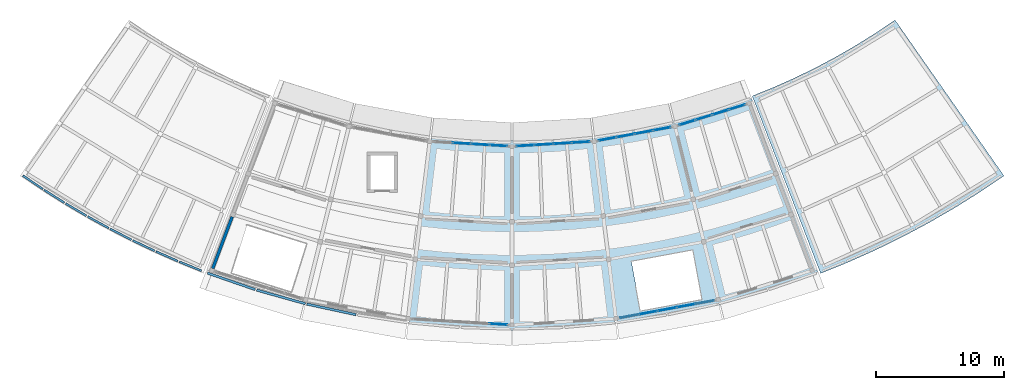
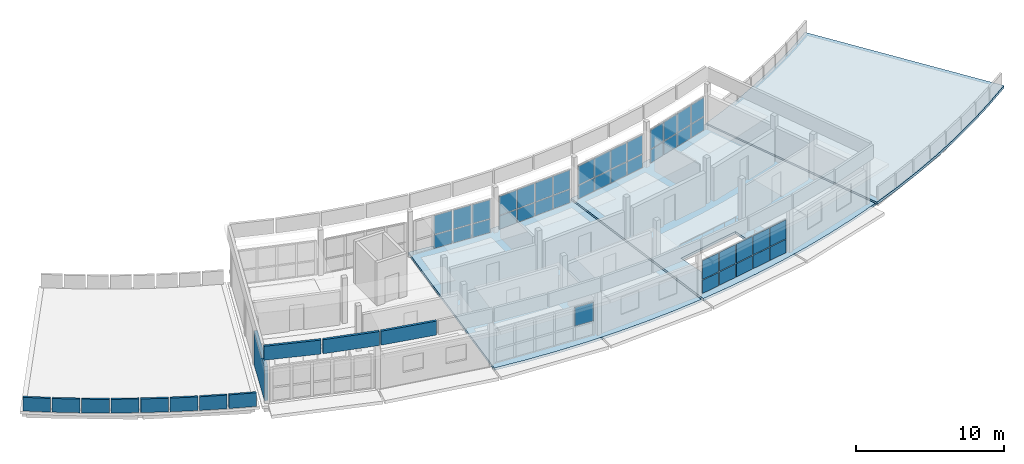
# One storey, part 8 of 12: 41 plates, 12 walls, 3 slabs, 6 elements without a shape of their own.
"""IFC4 building model written with IfcOpenShell, lengths in metres."""

from ifc_helpers import new_model, si_unit, direction, frame, frame_2d, origin, origin_2d, place, context, subcontext, project, spatial, polyline, rectangle, outline, extrude, material, layer, layer_set, type_object, element, aggregate, save


model = new_model("IFC4")

# Units and contexts
model_context = context("Model", 3, precision=1e-05, world=origin(), true_north=direction((0.0, 1.0)))
body_context = subcontext(model_context, "Body", "Model", "MODEL_VIEW")
ifc_project = project(units=[si_unit("LENGTHUNIT", "METRE"), si_unit("AREAUNIT", "SQUARE_METRE"), si_unit("VOLUMEUNIT", "CUBIC_METRE"), si_unit("PLANEANGLEUNIT", "RADIAN"), si_unit("MASSUNIT", "GRAM", prefix="KILO")], contexts=[model_context])

# Site, building, storey
site_placement = place(None, origin())
site = spatial("IfcSite", under=ifc_project, at=site_placement, CompositionType="ELEMENT")
building_placement = place(site_placement, origin())
building = spatial("IfcBuilding", under=site, at=building_placement, Name="Caldaven Crescent School", CompositionType="ELEMENT")
storey_placement = place(building_placement, frame((0.0, 0.0, 19.3798828125)))
storey = spatial("IfcBuildingStorey", under=building, at=storey_placement, Name="L05", CompositionType="ELEMENT", Elevation=19.3798828125)

# Curtain wall, plates
ifc_material_1 = material(Name="Anodised aluminium AA 6063-T6 and low-E double glazing", Category="aluminium")
ifc_layer_1 = layer(ifc_material_1, 0.169921875)
ifc_layer_set_1 = layer_set([ifc_layer_1], Name="Anodised aluminium AA 6063-T6 and low-E double glazing")
curtain_wall_type_1 = type_object("IfcCurtainWallType", Name="CW-SYS1", PredefinedType="NOTDEFINED", material=ifc_layer_set_1)
curtain_wall_1_placement = place(storey_placement, origin())
curtain_wall_1 = element("IfcCurtainWall", 1, at=curtain_wall_1_placement, inside=storey, type_object=curtain_wall_type_1, Name="CW-L05-182", PredefinedType="NOTDEFINED")
ifc_material_2 = material(Name="Tempered low-E double glazing IGU", Category="glass")
ifc_layer_2 = layer(ifc_material_2, 0.053955078125)
ifc_layer_set_2 = layer_set([ifc_layer_2], Name="Tempered low-E double glazing IGU")
plate_type_1 = type_object("IfcPlateType", Name="PLT-CWP15", PredefinedType="CURTAIN_PANEL", material=ifc_layer_set_2)
plate_1_placement = place(storey_placement, frame((84.079833984375, 43.789794921875, 0.065185546875), z_axis=(0.0, 0.0, 1.0), x_axis=(0.998134750717, -0.061049319496, 0.0)))
plate_1 = element("IfcPlate", 2, at=plate_1_placement, type_object=plate_type_1, Name="CW1 panel 2.1", PredefinedType="CURTAIN_PANEL", context=body_context, shape_type="SweptSolid", body=[
    extrude(rectangle(XDim=1.381103515625, YDim=0.053955078125, at=origin_2d()), origin(), (0.0, 0.0, 1.0), 1.08642578125),
])
plate_2_placement = place(storey_placement, frame((84.079833984375, 43.789794921875, 1.216552734375), z_axis=(0.0, 0.0, 1.0), x_axis=(0.998134750717, -0.061049319496, 0.0)))
plate_2 = element("IfcPlate", 3, at=plate_2_placement, type_object=plate_type_1, Name="CW1 panel 2.2", PredefinedType="CURTAIN_PANEL", context=body_context, shape_type="SweptSolid", body=[
    extrude(rectangle(XDim=1.381103515625, YDim=0.053955078125, at=origin_2d()), origin(), (0.0, 0.0, 1.0), 1.53857421875),
])
plate_3_placement = place(storey_placement, frame((85.528076171875, 43.701171875, 0.065185546875), z_axis=(0.0, 0.0, 1.0), x_axis=(0.998134750717, -0.061049319496, 0.0)))
plate_3 = element("IfcPlate", 4, at=plate_3_placement, type_object=plate_type_1, Name="CW1 panel 3.1", PredefinedType="CURTAIN_PANEL", context=body_context, shape_type="SweptSolid", body=[
    extrude(rectangle(XDim=1.381103515625, YDim=0.053955078125, at=origin_2d()), origin(), (0.0, 0.0, 1.0), 1.08642578125),
])
plate_4_placement = place(storey_placement, frame((85.528076171875, 43.701171875, 1.216552734375), z_axis=(0.0, 0.0, 1.0), x_axis=(0.998134750717, -0.061049319496, 0.0)))
plate_4 = element("IfcPlate", 5, at=plate_4_placement, type_object=plate_type_1, Name="CW1 panel 3.2", PredefinedType="CURTAIN_PANEL", context=body_context, shape_type="SweptSolid", body=[
    extrude(rectangle(XDim=1.381103515625, YDim=0.053955078125, at=origin_2d()), origin(), (0.0, 0.0, 1.0), 1.53857421875),
])
plate_5_placement = place(storey_placement, frame((86.958984375, 43.61376953125, 0.065185546875), z_axis=(0.0, 0.0, 1.0), x_axis=(0.998134750717, -0.061049319496, 0.0)))
plate_5 = element("IfcPlate", 6, at=plate_5_placement, type_object=plate_type_1, Name="CW1 panel 4.1", PredefinedType="CURTAIN_PANEL", context=body_context, shape_type="SweptSolid", body=[
    extrude(rectangle(XDim=1.345947265625, YDim=0.053955078125, at=origin_2d()), origin(), (0.0, 0.0, 1.0), 1.08642578125),
])
plate_6_placement = place(storey_placement, frame((86.958984375, 43.61376953125, 1.216552734375), z_axis=(0.0, 0.0, 1.0), x_axis=(0.998134750717, -0.061049319496, 0.0)))
plate_6 = element("IfcPlate", 7, at=plate_6_placement, type_object=plate_type_1, Name="CW1 panel 4.2", PredefinedType="CURTAIN_PANEL", context=body_context, shape_type="SweptSolid", body=[
    extrude(rectangle(XDim=1.345947265625, YDim=0.053955078125, at=origin_2d()), origin(), (0.0, 0.0, 1.0), 1.53857421875),
])
aggregate(curtain_wall_1, [plate_1, plate_2, plate_3, plate_4, plate_5, plate_6])

# Curtain wall, plate
ifc_layer_3 = layer(ifc_material_1, 0.2099609375)
ifc_layer_set_3 = layer_set([ifc_layer_3], Name="Anodised aluminium AA 6063-T6 and low-E double glazing")
curtain_wall_type_2 = type_object("IfcCurtainWallType", Name="CW-SYS3", PredefinedType="NOTDEFINED", material=ifc_layer_set_3)
curtain_wall_2_placement = place(storey_placement, origin())
curtain_wall_2 = element("IfcCurtainWall", 8, at=curtain_wall_2_placement, inside=storey, type_object=curtain_wall_type_2, Name="CW-L05-183", PredefinedType="NOTDEFINED")
ifc_layer_4 = layer(ifc_material_2, 0.055908203125)
ifc_layer_set_4 = layer_set([ifc_layer_4], Name="Tempered low-E double glazing IGU")
plate_type_2 = type_object("IfcPlateType", Name="PLT-CWP16", PredefinedType="CURTAIN_PANEL", material=ifc_layer_set_4)
plate_7_placement = place(storey_placement, frame((86.935546875, 29.715087890625, 1.21923828125), z_axis=(0.0, 0.0, 1.0), x_axis=(0.998134747337, -0.061049374755, 0.0)))
plate_7 = element("IfcPlate", 9, at=plate_7_placement, type_object=plate_type_2, Name="CW3 panel 5.2", PredefinedType="CURTAIN_PANEL", context=body_context, shape_type="SweptSolid", body=[
    extrude(rectangle(XDim=1.40283203125, YDim=0.055908203125, at=origin_2d()), origin(), (0.0, 0.0, 1.0), 1.531005859375),
])
aggregate(curtain_wall_2, [plate_7])

# Curtain wall, plates
ifc_layer_5 = layer(ifc_material_1, 0.18994140625)
ifc_layer_set_5 = layer_set([ifc_layer_5], Name="Anodised aluminium AA 6063-T6 and low-E double glazing")
curtain_wall_type_3 = type_object("IfcCurtainWallType", Name="CW-SYS2", PredefinedType="NOTDEFINED", material=ifc_layer_set_5)
curtain_wall_3_placement = place(storey_placement, origin())
curtain_wall_3 = element("IfcCurtainWall", 10, at=curtain_wall_3_placement, inside=storey, type_object=curtain_wall_type_3, Name="CW-L05-184", PredefinedType="NOTDEFINED")
ifc_layer_6 = layer(ifc_material_2, 0.05810546875)
ifc_layer_set_6 = layer_set([ifc_layer_6], Name="Tempered low-E double glazing IGU")
plate_type_3 = type_object("IfcPlateType", Name="PLT-CWP17", PredefinedType="CURTAIN_PANEL", material=ifc_layer_set_6)
plate_8_placement = place(storey_placement, frame((89.03857421875, 43.613525390625, 0.065185546875), z_axis=(0.0, 0.0, 1.0), x_axis=(0.998134750717, 0.061049319496, 0.0)))
plate_8 = element("IfcPlate", 11, at=plate_8_placement, type_object=plate_type_3, Name="CW2 panel 1.1", PredefinedType="CURTAIN_PANEL", context=body_context, shape_type="SweptSolid", body=[
    extrude(rectangle(XDim=1.361083984375, YDim=0.05810546875, at=origin_2d()), origin(), (0.0, 0.0, 1.0), 1.08642578125),
])
plate_9_placement = place(storey_placement, frame((89.03857421875, 43.613525390625, 1.216552734375), z_axis=(0.0, 0.0, 1.0), x_axis=(0.998134750717, 0.061049319496, 0.0)))
plate_9 = element("IfcPlate", 12, at=plate_9_placement, type_object=plate_type_3, Name="CW2 panel 1.2", PredefinedType="CURTAIN_PANEL", context=body_context, shape_type="SweptSolid", body=[
    extrude(rectangle(XDim=1.361083984375, YDim=0.05810546875, at=origin_2d()), origin(), (0.0, 0.0, 1.0), 1.53857421875),
])
plate_10_placement = place(storey_placement, frame((90.471923828125, 43.701171875, 0.065185546875), z_axis=(0.0, 0.0, 1.0), x_axis=(0.998134750717, 0.061049319496, 0.0)))
plate_10 = element("IfcPlate", 13, at=plate_10_placement, type_object=plate_type_3, Name="CW2 panel 2.1", PredefinedType="CURTAIN_PANEL", context=body_context, shape_type="SweptSolid", body=[
    extrude(rectangle(XDim=1.39111328125, YDim=0.05810546875, at=origin_2d()), origin(), (0.0, 0.0, 1.0), 1.08642578125),
])
plate_11_placement = place(storey_placement, frame((90.471923828125, 43.701171875, 1.216552734375), z_axis=(0.0, 0.0, 1.0), x_axis=(0.998134750717, 0.061049319496, 0.0)))
plate_11 = element("IfcPlate", 14, at=plate_11_placement, type_object=plate_type_3, Name="CW2 panel 2.2", PredefinedType="CURTAIN_PANEL", context=body_context, shape_type="SweptSolid", body=[
    extrude(rectangle(XDim=1.39111328125, YDim=0.05810546875, at=origin_2d()), origin(), (0.0, 0.0, 1.0), 1.53857421875),
])
plate_12_placement = place(storey_placement, frame((91.920166015625, 43.789794921875, 0.065185546875), z_axis=(0.0, 0.0, 1.0), x_axis=(0.998134750717, 0.061049319496, 0.0)))
plate_12 = element("IfcPlate", 15, at=plate_12_placement, type_object=plate_type_3, Name="CW2 panel 3.1", PredefinedType="CURTAIN_PANEL", context=body_context, shape_type="SweptSolid", body=[
    extrude(rectangle(XDim=1.39111328125, YDim=0.05810546875, at=origin_2d()), origin(), (0.0, 0.0, 1.0), 1.08642578125),
])
plate_13_placement = place(storey_placement, frame((91.920166015625, 43.789794921875, 1.216552734375), z_axis=(0.0, 0.0, 1.0), x_axis=(0.998134750717, 0.061049319496, 0.0)))
plate_13 = element("IfcPlate", 16, at=plate_13_placement, type_object=plate_type_3, Name="CW2 panel 3.2", PredefinedType="CURTAIN_PANEL", context=body_context, shape_type="SweptSolid", body=[
    extrude(rectangle(XDim=1.39111328125, YDim=0.05810546875, at=origin_2d()), origin(), (0.0, 0.0, 1.0), 1.53857421875),
])
plate_14_placement = place(storey_placement, frame((93.353515625, 43.87744140625, 0.065185546875), z_axis=(0.0, 0.0, 1.0), x_axis=(0.998134750717, 0.061049319496, 0.0)))
plate_14 = element("IfcPlate", 17, at=plate_14_placement, type_object=plate_type_3, Name="CW2 panel 4.1", PredefinedType="CURTAIN_PANEL", context=body_context, shape_type="SweptSolid", body=[
    extrude(rectangle(XDim=1.361083984375, YDim=0.05810546875, at=origin_2d()), origin(), (0.0, 0.0, 1.0), 1.08642578125),
])
plate_15_placement = place(storey_placement, frame((93.353515625, 43.87744140625, 1.216552734375), z_axis=(0.0, 0.0, 1.0), x_axis=(0.998134750717, 0.061049319496, 0.0)))
plate_15 = element("IfcPlate", 18, at=plate_15_placement, type_object=plate_type_3, Name="CW2 panel 4.2", PredefinedType="CURTAIN_PANEL", context=body_context, shape_type="SweptSolid", body=[
    extrude(rectangle(XDim=1.361083984375, YDim=0.05810546875, at=origin_2d()), origin(), (0.0, 0.0, 1.0), 1.53857421875),
])
aggregate(curtain_wall_3, [plate_8, plate_9, plate_10, plate_11, plate_12, plate_13, plate_14, plate_15])

curtain_wall_4_placement = place(storey_placement, origin())
curtain_wall_4 = element("IfcCurtainWall", 19, at=curtain_wall_4_placement, inside=storey, type_object=curtain_wall_type_2, Name="CW-L05-185", PredefinedType="NOTDEFINED")
ifc_layer_7 = layer(ifc_material_2, 0.06005859375)
ifc_layer_set_7 = layer_set([ifc_layer_7], Name="Tempered low-E double glazing IGU")
plate_type_4 = type_object("IfcPlateType", Name="PLT-CWP18", PredefinedType="CURTAIN_PANEL", material=ifc_layer_set_7)
plate_16_placement = place(storey_placement, frame((95.416259765625, 44.130859375, 0.070068359375), z_axis=(0.0, 0.0, 1.0), x_axis=(0.983254744401, 0.182236405836, 0.0)))
plate_16 = element("IfcPlate", 20, at=plate_16_placement, type_object=plate_type_4, Name="CW3 panel 1.1", PredefinedType="CURTAIN_PANEL", context=body_context, shape_type="SweptSolid", body=[
    extrude(rectangle(XDim=1.353515625, YDim=0.06005859375, at=origin_2d()), origin(), (0.0, 0.0, 1.0), 1.0791015625),
])
plate_17_placement = place(storey_placement, frame((95.416259765625, 44.130859375, 1.21923828125), z_axis=(0.0, 0.0, 1.0), x_axis=(0.983254744401, 0.182236405836, 0.0)))
plate_17 = element("IfcPlate", 21, at=plate_17_placement, type_object=plate_type_4, Name="CW3 panel 1.2", PredefinedType="CURTAIN_PANEL", context=body_context, shape_type="SweptSolid", body=[
    extrude(rectangle(XDim=1.353515625, YDim=0.06005859375, at=origin_2d()), origin(), (0.0, 0.0, 1.0), 1.531005859375),
])
plate_18_placement = place(storey_placement, frame((96.8271484375, 44.392333984375, 0.070068359375), z_axis=(0.0, 0.0, 1.0), x_axis=(0.983254744401, 0.182236405836, 0.0)))
plate_18 = element("IfcPlate", 22, at=plate_18_placement, type_object=plate_type_4, Name="CW3 panel 2.1", PredefinedType="CURTAIN_PANEL", context=body_context, shape_type="SweptSolid", body=[
    extrude(rectangle(XDim=1.385986328125, YDim=0.06005859375, at=origin_2d()), origin(), (0.0, 0.0, 1.0), 1.0791015625),
])
plate_19_placement = place(storey_placement, frame((96.8271484375, 44.392333984375, 1.21923828125), z_axis=(0.0, 0.0, 1.0), x_axis=(0.983254744401, 0.182236405836, 0.0)))
plate_19 = element("IfcPlate", 23, at=plate_19_placement, type_object=plate_type_4, Name="CW3 panel 2.2", PredefinedType="CURTAIN_PANEL", context=body_context, shape_type="SweptSolid", body=[
    extrude(rectangle(XDim=1.385986328125, YDim=0.06005859375, at=origin_2d()), origin(), (0.0, 0.0, 1.0), 1.531005859375),
])
plate_20_placement = place(storey_placement, frame((98.253662109375, 44.65673828125, 0.070068359375), z_axis=(0.0, 0.0, 1.0), x_axis=(0.983254744401, 0.182236405836, 0.0)))
plate_20 = element("IfcPlate", 24, at=plate_20_placement, type_object=plate_type_4, Name="CW3 panel 3.1", PredefinedType="CURTAIN_PANEL", context=body_context, shape_type="SweptSolid", body=[
    extrude(rectangle(XDim=1.385986328125, YDim=0.06005859375, at=origin_2d()), origin(), (0.0, 0.0, 1.0), 1.0791015625),
])
plate_21_placement = place(storey_placement, frame((98.253662109375, 44.65673828125, 1.21923828125), z_axis=(0.0, 0.0, 1.0), x_axis=(0.983254744401, 0.182236405836, 0.0)))
plate_21 = element("IfcPlate", 25, at=plate_21_placement, type_object=plate_type_4, Name="CW3 panel 3.2", PredefinedType="CURTAIN_PANEL", context=body_context, shape_type="SweptSolid", body=[
    extrude(rectangle(XDim=1.385986328125, YDim=0.06005859375, at=origin_2d()), origin(), (0.0, 0.0, 1.0), 1.531005859375),
])
plate_22_placement = place(storey_placement, frame((99.66455078125, 44.918212890625, 0.070068359375), z_axis=(0.0, 0.0, 1.0), x_axis=(0.983254744401, 0.182236405836, 0.0)))
plate_22 = element("IfcPlate", 26, at=plate_22_placement, type_object=plate_type_4, Name="CW3 panel 4.1", PredefinedType="CURTAIN_PANEL", context=body_context, shape_type="SweptSolid", body=[
    extrude(rectangle(XDim=1.353515625, YDim=0.06005859375, at=origin_2d()), origin(), (0.0, 0.0, 1.0), 1.0791015625),
])
plate_23_placement = place(storey_placement, frame((99.66455078125, 44.918212890625, 1.21923828125), z_axis=(0.0, 0.0, 1.0), x_axis=(0.983254744401, 0.182236405836, 0.0)))
plate_23 = element("IfcPlate", 27, at=plate_23_placement, type_object=plate_type_4, Name="CW3 panel 4.2", PredefinedType="CURTAIN_PANEL", context=body_context, shape_type="SweptSolid", body=[
    extrude(rectangle(XDim=1.353515625, YDim=0.06005859375, at=origin_2d()), origin(), (0.0, 0.0, 1.0), 1.531005859375),
])
aggregate(curtain_wall_4, [plate_16, plate_17, plate_18, plate_19, plate_20, plate_21, plate_22, plate_23])

curtain_wall_5_placement = place(storey_placement, origin())
curtain_wall_5 = element("IfcCurtainWall", 28, at=curtain_wall_5_placement, inside=storey, type_object=curtain_wall_type_1, Name="CW-L05-186", PredefinedType="NOTDEFINED")
ifc_material_3 = material(Name="Insulated bronze aluminium spandrel panel", Category="aluminium")
ifc_layer_8 = layer(ifc_material_3, 0.06201171875)
ifc_layer_set_8 = layer_set([ifc_layer_8], Name="Insulated bronze aluminium spandrel panel")
plate_type_5 = type_object("IfcPlateType", Name="PLT-CWP19", PredefinedType="CURTAIN_PANEL", material=ifc_layer_set_8)
plate_24_placement = place(storey_placement, frame((97.13330078125, 30.338623046875, 0.06005859375), z_axis=(0.0, 0.0, 1.0), x_axis=(0.983254756739, 0.182236339268, 0.0)))
plate_24 = element("IfcPlate", 29, at=plate_24_placement, type_object=plate_type_5, Name="CW1 panel 1.1", PredefinedType="CURTAIN_PANEL", context=body_context, shape_type="SweptSolid", body=[
    extrude(rectangle(XDim=1.41015625, YDim=0.06201171875, at=origin_2d()), origin(), (0.0, 0.0, 1.0), 1.093994140625),
])
plate_25_placement = place(storey_placement, frame((97.13330078125, 30.338623046875, 1.214111328125), z_axis=(0.0, 0.0, 1.0), x_axis=(0.983254756739, 0.182236339268, 0.0)))
plate_25 = element("IfcPlate", 30, at=plate_25_placement, type_object=plate_type_5, Name="CW1 panel 1.2", PredefinedType="CURTAIN_PANEL", context=body_context, shape_type="SweptSolid", body=[
    extrude(rectangle(XDim=1.41015625, YDim=0.06201171875, at=origin_2d()), origin(), (0.0, 0.0, 1.0), 1.5458984375),
])
plate_26_placement = place(storey_placement, frame((98.59375, 30.609375, 0.06005859375), z_axis=(0.0, 0.0, 1.0), x_axis=(0.983254756739, 0.182236339268, 0.0)))
plate_26 = element("IfcPlate", 31, at=plate_26_placement, type_object=plate_type_5, Name="CW1 panel 2.1", PredefinedType="CURTAIN_PANEL", context=body_context, shape_type="SweptSolid", body=[
    extrude(rectangle(XDim=1.440185546875, YDim=0.06201171875, at=origin_2d()), origin(), (0.0, 0.0, 1.0), 1.093994140625),
])
plate_27_placement = place(storey_placement, frame((98.59375, 30.609375, 1.214111328125), z_axis=(0.0, 0.0, 1.0), x_axis=(0.983254756739, 0.182236339268, 0.0)))
plate_27 = element("IfcPlate", 32, at=plate_27_placement, type_object=plate_type_5, Name="CW1 panel 2.2", PredefinedType="CURTAIN_PANEL", context=body_context, shape_type="SweptSolid", body=[
    extrude(rectangle(XDim=1.440185546875, YDim=0.06201171875, at=origin_2d()), origin(), (0.0, 0.0, 1.0), 1.5458984375),
])
plate_28_placement = place(storey_placement, frame((100.06884765625, 30.8828125, 0.06005859375), z_axis=(0.0, 0.0, 1.0), x_axis=(0.983254756739, 0.182236339268, 0.0)))
plate_28 = element("IfcPlate", 33, at=plate_28_placement, type_object=plate_type_5, Name="CW1 panel 3.1", PredefinedType="CURTAIN_PANEL", context=body_context, shape_type="SweptSolid", body=[
    extrude(rectangle(XDim=1.440185546875, YDim=0.06201171875, at=origin_2d()), origin(), (0.0, 0.0, 1.0), 1.093994140625),
])
plate_29_placement = place(storey_placement, frame((100.06884765625, 30.8828125, 1.214111328125), z_axis=(0.0, 0.0, 1.0), x_axis=(0.983254756739, 0.182236339268, 0.0)))
plate_29 = element("IfcPlate", 34, at=plate_29_placement, type_object=plate_type_5, Name="CW1 panel 3.2", PredefinedType="CURTAIN_PANEL", context=body_context, shape_type="SweptSolid", body=[
    extrude(rectangle(XDim=1.440185546875, YDim=0.06201171875, at=origin_2d()), origin(), (0.0, 0.0, 1.0), 1.5458984375),
])
plate_30_placement = place(storey_placement, frame((101.5439453125, 31.156005859375, 0.06005859375), z_axis=(0.0, 0.0, 1.0), x_axis=(0.983254756739, 0.182236339268, 0.0)))
plate_30 = element("IfcPlate", 35, at=plate_30_placement, type_object=plate_type_5, Name="CW1 panel 4.1", PredefinedType="CURTAIN_PANEL", context=body_context, shape_type="SweptSolid", body=[
    extrude(rectangle(XDim=1.440185546875, YDim=0.06201171875, at=origin_2d()), origin(), (0.0, 0.0, 1.0), 1.093994140625),
])
plate_31_placement = place(storey_placement, frame((101.5439453125, 31.156005859375, 1.214111328125), z_axis=(0.0, 0.0, 1.0), x_axis=(0.983254756739, 0.182236339268, 0.0)))
plate_31 = element("IfcPlate", 36, at=plate_31_placement, type_object=plate_type_5, Name="CW1 panel 4.2", PredefinedType="CURTAIN_PANEL", context=body_context, shape_type="SweptSolid", body=[
    extrude(rectangle(XDim=1.440185546875, YDim=0.06201171875, at=origin_2d()), origin(), (0.0, 0.0, 1.0), 1.5458984375),
])
plate_32_placement = place(storey_placement, frame((103.004150390625, 31.4267578125, 0.06005859375), z_axis=(0.0, 0.0, 1.0), x_axis=(0.983254756739, 0.182236339268, 0.0)))
plate_32 = element("IfcPlate", 37, at=plate_32_placement, type_object=plate_type_5, Name="CW1 panel 5.1", PredefinedType="CURTAIN_PANEL", context=body_context, shape_type="SweptSolid", body=[
    extrude(rectangle(XDim=1.41015625, YDim=0.06201171875, at=origin_2d()), origin(), (0.0, 0.0, 1.0), 1.093994140625),
])
plate_33_placement = place(storey_placement, frame((103.004150390625, 31.4267578125, 1.214111328125), z_axis=(0.0, 0.0, 1.0), x_axis=(0.983254756739, 0.182236339268, 0.0)))
plate_33 = element("IfcPlate", 38, at=plate_33_placement, type_object=plate_type_5, Name="CW1 panel 5.2", PredefinedType="CURTAIN_PANEL", context=body_context, shape_type="SweptSolid", body=[
    extrude(rectangle(XDim=1.41015625, YDim=0.06201171875, at=origin_2d()), origin(), (0.0, 0.0, 1.0), 1.5458984375),
])
aggregate(curtain_wall_5, [plate_24, plate_25, plate_26, plate_27, plate_28, plate_29, plate_30, plate_31, plate_32, plate_33])

ifc_layer_9 = layer(ifc_material_1, 0.22998046875)
ifc_layer_set_9 = layer_set([ifc_layer_9], Name="Anodised aluminium AA 6063-T6 and low-E double glazing")
curtain_wall_type_4 = type_object("IfcCurtainWallType", Name="CW-SYS4", PredefinedType="NOTDEFINED", material=ifc_layer_set_9)
curtain_wall_6_placement = place(storey_placement, origin())
curtain_wall_6 = element("IfcCurtainWall", 39, at=curtain_wall_6_placement, inside=storey, type_object=curtain_wall_type_4, Name="CW-L05-187", PredefinedType="NOTDEFINED")
ifc_layer_10 = layer(ifc_material_3, 0.06396484375)
ifc_layer_set_10 = layer_set([ifc_layer_10], Name="Insulated bronze aluminium spandrel panel")
plate_type_6 = type_object("IfcPlateType", Name="PLT-CWP20", PredefinedType="CURTAIN_PANEL", material=ifc_layer_set_10)
plate_34_placement = place(storey_placement, frame((101.6416015625, 45.40478515625, 0.070068359375), z_axis=(0.0, 0.0, 1.0), x_axis=(0.954746818344, 0.297419758694, 0.0)))
plate_34 = element("IfcPlate", 40, at=plate_34_placement, type_object=plate_type_6, Name="CW4 panel 1.1", PredefinedType="CURTAIN_PANEL", context=body_context, shape_type="SweptSolid", body=[
    extrude(rectangle(XDim=1.255859375, YDim=0.06396484375, at=origin_2d()), origin(), (0.0, 0.0, 1.0), 1.0791015625),
])
plate_35_placement = place(storey_placement, frame((101.6416015625, 45.40478515625, 1.21923828125), z_axis=(0.0, 0.0, 1.0), x_axis=(0.954746818344, 0.297419758694, 0.0)))
plate_35 = element("IfcPlate", 41, at=plate_35_placement, type_object=plate_type_6, Name="CW4 panel 1.2", PredefinedType="CURTAIN_PANEL", context=body_context, shape_type="SweptSolid", body=[
    extrude(rectangle(XDim=1.255859375, YDim=0.06396484375, at=origin_2d()), origin(), (0.0, 0.0, 1.0), 1.531005859375),
])
plate_36_placement = place(storey_placement, frame((102.924072265625, 45.804443359375, 0.070068359375), z_axis=(0.0, 0.0, 1.0), x_axis=(0.954746818344, 0.297419758694, 0.0)))
plate_36 = element("IfcPlate", 42, at=plate_36_placement, type_object=plate_type_6, Name="CW4 panel 2.1", PredefinedType="CURTAIN_PANEL", context=body_context, shape_type="SweptSolid", body=[
    extrude(rectangle(XDim=1.290771484375, YDim=0.06396484375, at=origin_2d()), origin(), (0.0, 0.0, 1.0), 1.0791015625),
])
plate_37_placement = place(storey_placement, frame((102.924072265625, 45.804443359375, 1.21923828125), z_axis=(0.0, 0.0, 1.0), x_axis=(0.954746818344, 0.297419758694, 0.0)))
plate_37 = element("IfcPlate", 43, at=plate_37_placement, type_object=plate_type_6, Name="CW4 panel 2.2", PredefinedType="CURTAIN_PANEL", context=body_context, shape_type="SweptSolid", body=[
    extrude(rectangle(XDim=1.290771484375, YDim=0.06396484375, at=origin_2d()), origin(), (0.0, 0.0, 1.0), 1.531005859375),
])
plate_38_placement = place(storey_placement, frame((104.223388671875, 46.208984375, 0.070068359375), z_axis=(0.0, 0.0, 1.0), x_axis=(0.954746818344, 0.297419758694, 0.0)))
plate_38 = element("IfcPlate", 44, at=plate_38_placement, type_object=plate_type_6, Name="CW4 panel 3.1", PredefinedType="CURTAIN_PANEL", context=body_context, shape_type="SweptSolid", body=[
    extrude(rectangle(XDim=1.290771484375, YDim=0.06396484375, at=origin_2d()), origin(), (0.0, 0.0, 1.0), 1.0791015625),
])
plate_39_placement = place(storey_placement, frame((104.223388671875, 46.208984375, 1.21923828125), z_axis=(0.0, 0.0, 1.0), x_axis=(0.954746818344, 0.297419758694, 0.0)))
plate_39 = element("IfcPlate", 45, at=plate_39_placement, type_object=plate_type_6, Name="CW4 panel 3.2", PredefinedType="CURTAIN_PANEL", context=body_context, shape_type="SweptSolid", body=[
    extrude(rectangle(XDim=1.290771484375, YDim=0.06396484375, at=origin_2d()), origin(), (0.0, 0.0, 1.0), 1.531005859375),
])
plate_40_placement = place(storey_placement, frame((105.506103515625, 46.608642578125, 0.070068359375), z_axis=(0.0, 0.0, 1.0), x_axis=(0.954746818344, 0.297419758694, 0.0)))
plate_40 = element("IfcPlate", 46, at=plate_40_placement, type_object=plate_type_6, Name="CW4 panel 4.1", PredefinedType="CURTAIN_PANEL", context=body_context, shape_type="SweptSolid", body=[
    extrude(rectangle(XDim=1.255859375, YDim=0.06396484375, at=origin_2d()), origin(), (0.0, 0.0, 1.0), 1.0791015625),
])
plate_41_placement = place(storey_placement, frame((105.506103515625, 46.608642578125, 1.21923828125), z_axis=(0.0, 0.0, 1.0), x_axis=(0.954746818344, 0.297419758694, 0.0)))
plate_41 = element("IfcPlate", 47, at=plate_41_placement, type_object=plate_type_6, Name="CW4 panel 4.2", PredefinedType="CURTAIN_PANEL", context=body_context, shape_type="SweptSolid", body=[
    extrude(rectangle(XDim=1.255859375, YDim=0.06396484375, at=origin_2d()), origin(), (0.0, 0.0, 1.0), 1.531005859375),
])
aggregate(curtain_wall_6, [plate_34, plate_35, plate_36, plate_37, plate_38, plate_39, plate_40, plate_41])

# Slabs
ifc_material_4 = material(Name="Cross-laminated timber CLT C24", Category="wood")
ifc_layer_11 = layer(ifc_material_4, 0.199951171875)
ifc_layer_set_11 = layer_set([ifc_layer_11], Name="Cross-laminated timber CLT C24")
slab_type_1 = type_object("IfcSlabType", Name="SLB-FS3", PredefinedType="FLOOR", material=ifc_layer_set_11)
slab_1_placement = place(storey_placement, frame((0.0, 0.0, -0.199951171875)))
element("IfcSlab", 48, at=slab_1_placement, inside=storey, type_object=slab_type_1, Name="SLB-V5-L05-B07", PredefinedType="FLOOR", context=body_context, shape_type="SweptSolid", body=[
    extrude(outline(polyline([(79.940673828125, 29.68798828125), (82.236328125, 29.44921875), (84.5390625, 29.289794921875), (86.845947265625, 29.2099609375), (89.154052734375, 29.2099609375), (91.4609375, 29.289794921875), (93.763671875, 29.44921875), (96.059326171875, 29.68798828125), (94.273681640625, 44.3798828125), (92.486572265625, 44.19384765625), (90.694091796875, 44.06982421875), (88.8984375, 44.0078125), (87.1015625, 44.0078125), (85.305908203125, 44.06982421875), (83.513427734375, 44.19384765625), (81.726318359375, 44.3798828125), (79.940673828125, 29.68798828125)])), origin(), (0.0, 0.0, 1.0), 0.199951171875),
])
slab_2_placement = place(storey_placement, frame((0.0, 0.0, -0.199951171875)))
element("IfcSlab", 49, at=slab_2_placement, inside=storey, type_object=slab_type_1, Name="SLB-V5-L05-B09", PredefinedType="FLOOR", context=body_context, shape_type="SweptSolid", body=[
    extrude(outline(polyline([(96.222412109375, 29.7080078125), (98.5078125, 30.03173828125), (100.780517578125, 30.43408203125), (103.0380859375, 30.914794921875), (105.27783203125, 31.47314453125), (107.496826171875, 32.108642578125), (109.6923828125, 32.8203125), (111.8623046875, 33.607421875), (106.575439453125, 47.430908203125), (104.886474609375, 46.818115234375), (103.177001953125, 46.26416015625), (101.44970703125, 45.76953125), (99.706298828125, 45.334716796875), (97.948974609375, 44.960693359375), (96.1796875, 44.6474609375), (94.400634765625, 44.3955078125), (96.222412109375, 29.7080078125)]), holes=[polyline([(98.000732421875, 30.7802734375), (97.29736328125, 34.57568359375), (102.03857421875, 35.45458984375), (102.741943359375, 31.6591796875), (98.000732421875, 30.7802734375)])]), origin(), (0.0, 0.0, 1.0), 0.199951171875),
])
ifc_layer_12 = layer(ifc_material_4, 0.2099609375)
ifc_layer_set_12 = layer_set([ifc_layer_12], Name="Cross-laminated timber CLT C24")
slab_type_2 = type_object("IfcSlabType", Name="SLB-RS4", PredefinedType="ROOF", material=ifc_layer_set_12)
slab_3_placement = place(storey_placement, frame((0.0, 0.0, -0.2099609375)))
element("IfcSlab", 50, at=slab_3_placement, inside=storey, type_object=slab_type_2, Name="SLB-RF-L05-E", PredefinedType="ROOF", context=body_context, shape_type="SweptSolid", body=[
    extrude(outline(polyline([(112.015625, 33.666259765625), (114.161376953125, 34.535888671875), (116.275634765625, 35.4794921875), (118.355712890625, 36.49560546875), (120.399658203125, 37.583251953125), (122.404541015625, 38.7412109375), (124.3681640625, 39.9677734375), (126.2880859375, 41.26171875), (117.804931640625, 53.389404296875), (116.310546875, 52.382080078125), (114.781982421875, 51.42724609375), (113.22119140625, 50.52587890625), (111.63037109375, 49.67919921875), (110.010986328125, 48.88818359375), (108.364990234375, 48.15380859375), (106.69482421875, 47.476806640625), (112.015625, 33.666259765625)])), origin(), (0.0, 0.0, 1.0), 0.2099609375),
])

# Walls
ifc_material_5 = material(Name="Precast concrete C35/45", Category="concrete")
ifc_layer_13 = layer(ifc_material_5, 0.239990234375)
ifc_layer_set_13 = layer_set([ifc_layer_13], Name="Precast concrete C35/45")
wall_type_1 = type_object("IfcWallType", Name="WAL-EW05", PredefinedType="STANDARD", material=ifc_layer_set_13)
wall_1_placement = place(storey_placement, frame((66.221435546875, 38.075927734375, 0.0), z_axis=(0.0, 0.0, 1.0), x_axis=(-0.351932384448, -0.936025425283, 0.0)))
element("IfcWall", 51, at=wall_1_placement, inside=storey, type_object=wall_type_1, Name="EW-L05-256", PredefinedType="STANDARD", context=body_context, shape_type="SweptSolid", body=[
    extrude(rectangle(XDim=4.298828125, YDim=0.239990234375, at=frame_2d((2.1494140625, 0.0))), origin(), (0.0, 0.0, 1.0), 2.820068359375),
])
ifc_layer_14 = layer(ifc_material_5, 0.155029296875)
ifc_layer_set_14 = layer_set([ifc_layer_14], Name="Precast concrete C35/45")
wall_type_2 = type_object("IfcWallType", Name="WAL-PRP01", PredefinedType="PARAPET", material=ifc_layer_set_14)
wall_2_placement = place(storey_placement, frame((49.9404296875, 41.274169921875, 0.0), z_axis=(0.0, 0.0, 1.0), x_axis=(0.828919894734, -0.559367328429, 0.0)))
element("IfcWall", 52, at=wall_2_placement, inside=storey, type_object=wall_type_2, Name="PRP-RF-L05-W-O0", PredefinedType="PARAPET", context=body_context, shape_type="SweptSolid", body=[
    extrude(rectangle(XDim=1.86767578125, YDim=0.155029296875, at=frame_2d((0.933837890625, 0.0))), origin(), (0.0, 0.0, 1.0), 1.1201171875),
])
for number, where, z_axis, x_axis, name in (
    (53, (51.5888671875, 40.163818359375, 0.0), (0.0, 0.0, 1.0), (0.845202976692, -0.534445439863, 0.0), "PRP-RF-L05-W-O1"),
    (54, (53.269775390625, 39.103271484375, 0.0), (0.0, 0.0, 1.0), (0.86072866591, -0.50906400745, 0.0), "PRP-RF-L05-W-O2"),
    (55, (54.981201171875, 38.09326171875, 0.0), (0.0, 0.0, 1.0), (0.87551666052, -0.483187931504, 0.0), "PRP-RF-L05-W-O3"),
):
    element("IfcWall", number, at=place(storey_placement, frame(where, z_axis=z_axis, x_axis=x_axis)), inside=storey, type_object=wall_type_2, Name=name, PredefinedType="PARAPET", context=body_context, shape_type="SweptSolid", body=[
        extrude(rectangle(XDim=1.867431640625, YDim=0.155029296875, at=frame_2d((0.93359375, 0.0))), origin(), (0.0, 0.0, 1.0), 1.1201171875),
    ])
for number, where, z_axis, x_axis, name in (
    (56, (56.72216796875, 37.134521484375, 0.0), (0.0, 0.0, 1.0), (0.889591424125, -0.45675715443, 0.0), "PRP-RF-L05-W-O4"),
    (57, (58.490966796875, 36.228271484375, 0.0), (0.0, 0.0, 1.0), (0.902788015139, -0.430085805069, 0.0), "PRP-RF-L05-W-O5"),
    (58, (60.285888671875, 35.375244140625, 0.0), (0.0, 0.0, 1.0), (0.915191626235, -0.403018966388, 0.0), "PRP-RF-L05-W-O6"),
):
    element("IfcWall", number, at=place(storey_placement, frame(where, z_axis=z_axis, x_axis=x_axis)), inside=storey, type_object=wall_type_2, Name=name, PredefinedType="PARAPET", context=body_context, shape_type="SweptSolid", body=[
        extrude(rectangle(XDim=1.86767578125, YDim=0.155029296875, at=frame_2d((0.933837890625, 0.0))), origin(), (0.0, 0.0, 1.0), 1.1201171875),
    ])
wall_3_placement = place(storey_placement, frame((62.105712890625, 34.575927734375, 0.0), z_axis=(0.0, 0.0, 1.0), x_axis=(0.926826595567, -0.375489629351, 0.0)))
element("IfcWall", 59, at=wall_3_placement, inside=storey, type_object=wall_type_2, Name="PRP-RF-L05-W-O7", PredefinedType="PARAPET", context=body_context, shape_type="SweptSolid", body=[
    extrude(rectangle(XDim=1.867431640625, YDim=0.155029296875, at=frame_2d((0.93359375, 0.0))), origin(), (0.0, 0.0, 1.0), 1.1201171875),
])
ifc_layer_15 = layer(ifc_material_5, 0.18505859375)
ifc_layer_set_15 = layer_set([ifc_layer_15], Name="Precast concrete C35/45")
wall_type_3 = type_object("IfcWallType", Name="WAL-PRP03", PredefinedType="PARAPET", material=ifc_layer_set_15)
wall_4_placement = place(storey_placement, frame((64.310791015625, 33.693115234375, 3.740234375), z_axis=(0.0, 0.0, 1.0), x_axis=(0.944789228047, -0.327678675789, 0.0)))
element("IfcWall", 60, at=wall_4_placement, inside=storey, type_object=wall_type_3, Name="PRP-ROOF-OUT-00", PredefinedType="PARAPET", context=body_context, shape_type="SweptSolid", body=[
    extrude(rectangle(XDim=3.92578125, YDim=0.18505859375, at=frame_2d((1.962890625, 0.0))), origin(), (0.0, 0.0, 1.0), 1.14990234375),
])
for number, where, z_axis, x_axis, name in (
    (61, (68.13427734375, 32.370849609375, 3.740234375), (0.0, 0.0, 1.0), (0.962928490483, -0.269756783449, 0.0), "PRP-ROOF-OUT-01"),
    (62, (72.031005859375, 31.282958984375, 3.740234375), (0.0, 0.0, 1.0), (0.977513001592, -0.210875156715, 0.0), "PRP-ROOF-OUT-02"),
):
    element("IfcWall", number, at=place(storey_placement, frame(where, z_axis=z_axis, x_axis=x_axis)), inside=storey, type_object=wall_type_3, Name=name, PredefinedType="PARAPET", context=body_context, shape_type="SweptSolid", body=[
        extrude(rectangle(XDim=3.926025390625, YDim=0.18505859375, at=frame_2d((1.962890625, 0.0))), origin(), (0.0, 0.0, 1.0), 1.14990234375),
    ])

save(model, "model.ifc")
